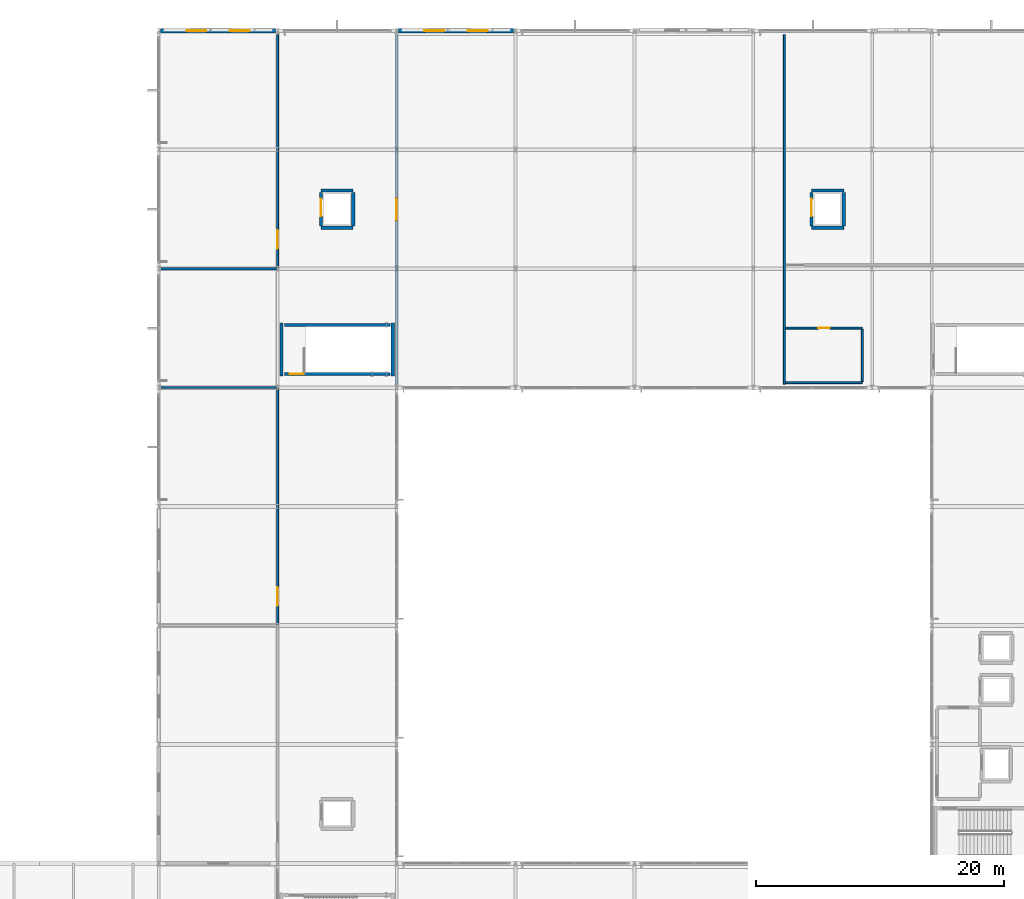
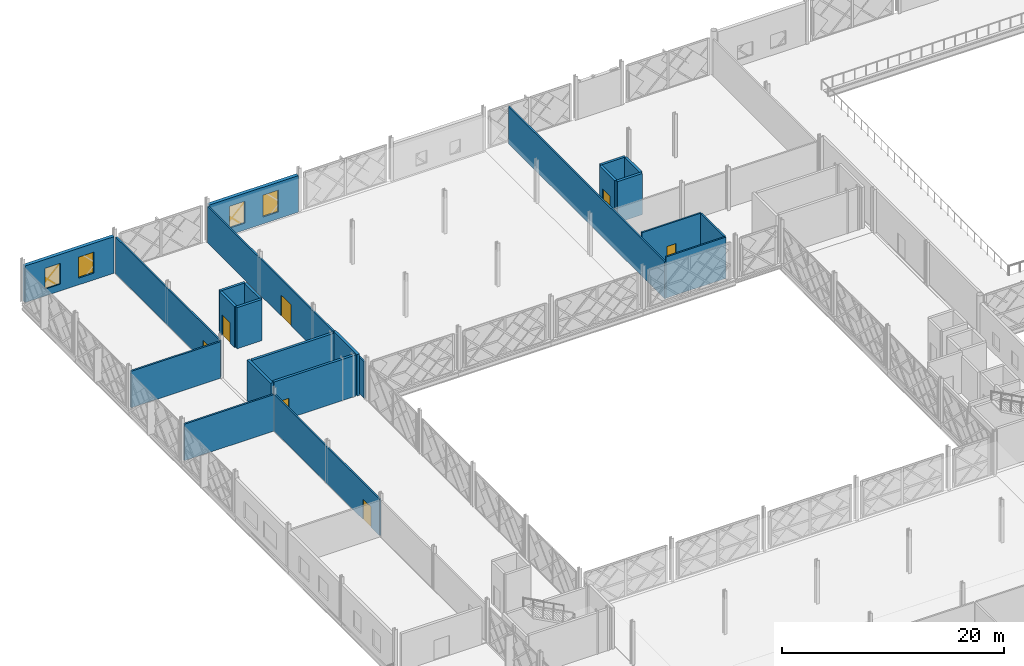
# One storey, part 50 of 77: 23 walls, 7 doors, 4 windows, 11 openings.
"""IFC4 building model written with IfcOpenShell, lengths in metres."""

from ifc_helpers import new_model, si_unit, direction, frame, frame_2d, origin, place, context, subcontext, project, spatial, rectangle, extrude, material, layer, layer_set, type_object, element, fill, save


model = new_model("IFC4")

# Units and contexts
model_context = context("Model", 3, precision=1e-05, world=origin(), true_north=direction((0.0, 1.0)))
body_context = subcontext(model_context, "Body", "Model", "MODEL_VIEW")
ifc_project = project(units=[si_unit("LENGTHUNIT", "METRE"), si_unit("AREAUNIT", "SQUARE_METRE"), si_unit("VOLUMEUNIT", "CUBIC_METRE"), si_unit("PLANEANGLEUNIT", "RADIAN"), si_unit("MASSUNIT", "GRAM", prefix="KILO")], contexts=[model_context])

# Site, building, storey
site_placement = place(None, origin())
site = spatial("IfcSite", under=ifc_project, at=site_placement, CompositionType="ELEMENT")
building_placement = place(site_placement, origin())
building = spatial("IfcBuilding", under=site, at=building_placement, Name="Zevrakil Square Congress Hotel", CompositionType="ELEMENT")
storey_placement = place(building_placement, frame((0.0, 0.0, 9.89990234375)))
storey = spatial("IfcBuildingStorey", under=building, at=storey_placement, Name="L03", CompositionType="ELEMENT", Elevation=9.89990234375)

# Wall, opening, door
ifc_material_1 = material(Name="Gypsum Acoustic Stud Partition")
ifc_layer_1 = layer(ifc_material_1, 0.159912109375)
ifc_layer_set_1 = layer_set([ifc_layer_1], Name="Gypsum Acoustic Stud Partition")
wall_type_1 = type_object("IfcWallType", Name="WAL-CORR-160", PredefinedType="PARTITIONING", material=ifc_layer_set_1)
wall_1_placement = place(storey_placement, frame((55.199951171875, 64.89990234375, 0.0), z_axis=(0.0, 0.0, 1.0), x_axis=(0.0, 1.0, 0.0)))
wall_1 = element("IfcWall", 1, at=wall_1_placement, inside=storey, type_object=wall_type_1, Name="L03 interior partition PW-L03-0226", PredefinedType="PARTITIONING", context=body_context, shape_type="SweptSolid", body=[
    extrude(rectangle(XDim=19.0, YDim=0.159912109375, at=frame_2d((9.5, 0.0))), origin(), (0.0, 0.0, 1.0), 4.025146484375),
])
opening_1_placement = place(wall_1_placement, frame((1.5, 0.0, 0.0)))
opening_1 = element("IfcOpeningElement", 2, at=opening_1_placement, cuts=wall_1, Name="Opening ID-03", PredefinedType="OPENING", context=body_context, shape_type="SweptSolid", body=[
    extrude(rectangle(XDim=1.5, YDim=2.25, at=frame_2d((0.75, 1.125))), frame((0.0, 0.08984375, 0.0), z_axis=(0.0, -1.0, 0.0), x_axis=(1.0, 0.0, 0.0)), (0.0, 0.0, 1.0), 0.179931640625),
])
ifc_material_2 = material(Name="Acoustic Double Meeting Door")
door_type_1 = type_object("IfcDoorType", Name="DOR-MTG-150", OperationType="NOTDEFINED", PredefinedType="DOOR", material=ifc_material_2)
door_1_placement = place(opening_1_placement, origin())
door_1 = element("IfcDoor", 3, at=door_1_placement, inside=storey, type_object=door_type_1, Name="L03 interior door 96", OperationType="DOUBLE_DOOR_SINGLE_SWING", OverallHeight=2.25, OverallWidth=1.5, PredefinedType="DOOR", context=body_context, shape_type="SweptSolid", body=[
    extrude(rectangle(XDim=1.5, YDim=2.25, at=frame_2d((0.75, 1.125))), frame((0.0, 0.02490234375, 0.0), z_axis=(0.0, -1.0, 0.0), x_axis=(1.0, 0.0, 0.0)), (0.0, 0.0, 1.0), 0.050048828125),
])
fill(opening_1, door_1)

wall_2_placement = place(storey_placement, frame((55.199951171875, 93.699951171875, 0.0), z_axis=(0.0, 0.0, 1.0), x_axis=(0.0, 1.0, 0.0)))
wall_2 = element("IfcWall", 4, at=wall_2_placement, inside=storey, type_object=wall_type_1, Name="L03 interior partition PW-L03-0228", PredefinedType="PARTITIONING", context=body_context, shape_type="SweptSolid", body=[
    extrude(rectangle(XDim=18.780029296875, YDim=0.159912109375, at=frame_2d((9.39013671875, 0.0))), origin(), (0.0, 0.0, 1.0), 4.025146484375),
])
opening_2_placement = place(wall_2_placement, frame((1.5, 0.0, 0.0)))
opening_2 = element("IfcOpeningElement", 5, at=opening_2_placement, cuts=wall_2, Name="Opening ID-03", PredefinedType="OPENING", context=body_context, shape_type="SweptSolid", body=[
    extrude(rectangle(XDim=1.5, YDim=2.25, at=frame_2d((0.75, 1.125))), frame((0.0, 0.08984375, 0.0), z_axis=(0.0, -1.0, 0.0), x_axis=(1.0, 0.0, 0.0)), (0.0, 0.0, 1.0), 0.179931640625),
])
door_2_placement = place(opening_2_placement, origin())
door_2 = element("IfcDoor", 6, at=door_2_placement, inside=storey, type_object=door_type_1, Name="L03 interior door 97", OperationType="DOUBLE_DOOR_SINGLE_SWING", OverallHeight=2.25, OverallWidth=1.5, PredefinedType="DOOR", context=body_context, shape_type="SweptSolid", body=[
    extrude(rectangle(XDim=1.5, YDim=2.25, at=frame_2d((0.75, 1.125))), frame((0.0, 0.02490234375, 0.0), z_axis=(0.0, -1.0, 0.0), x_axis=(1.0, 0.0, 0.0)), (0.0, 0.0, 1.0), 0.050048828125),
])
fill(opening_2, door_2)

wall_3_placement = place(storey_placement, frame((64.800048828125, 84.284912109375, 0.0), z_axis=(0.0, 0.0, 1.0), x_axis=(0.0, 1.0, 0.0)))
wall_3 = element("IfcWall", 7, at=wall_3_placement, inside=storey, type_object=wall_type_1, Name="L03 interior partition PW-L03-0230", PredefinedType="PARTITIONING", context=body_context, shape_type="SweptSolid", body=[
    extrude(rectangle(XDim=28.210205078125, YDim=0.159912109375, at=frame_2d((14.10498046875, 0.0))), origin(), (0.0, 0.0, 1.0), 4.025146484375),
])
opening_3_placement = place(wall_3_placement, frame((13.205078125, 0.0, 0.0)))
opening_3 = element("IfcOpeningElement", 8, at=opening_3_placement, cuts=wall_3, Name="Opening ID-04", PredefinedType="OPENING", context=body_context, shape_type="SweptSolid", body=[
    extrude(rectangle(XDim=1.800048828125, YDim=2.300048828125, at=frame_2d((0.89990234375, 1.14990234375))), frame((0.0, 0.08984375, 0.0), z_axis=(0.0, -1.0, 0.0), x_axis=(1.0, 0.0, 0.0)), (0.0, 0.0, 1.0), 0.179931640625),
])
ifc_material_3 = material(Name="Diplomatic Boardroom Double Door")
door_type_2 = type_object("IfcDoorType", Name="DOR-MTG-180", OperationType="NOTDEFINED", PredefinedType="DOOR", material=ifc_material_3)
door_3_placement = place(opening_3_placement, origin())
door_3 = element("IfcDoor", 9, at=door_3_placement, inside=storey, type_object=door_type_2, Name="L03 interior door 98", OperationType="DOUBLE_DOOR_SINGLE_SWING", OverallHeight=2.300048828125, OverallWidth=1.800048828125, PredefinedType="DOOR", context=body_context, shape_type="SweptSolid", body=[
    extrude(rectangle(XDim=1.800048828125, YDim=2.300048828125, at=frame_2d((0.89990234375, 1.14990234375))), frame((0.0, 0.02490234375, 0.0), z_axis=(0.0, -1.0, 0.0), x_axis=(1.0, 0.0, 0.0)), (0.0, 0.0, 1.0), 0.050048828125),
])
fill(opening_3, door_3)

# Walls
wall_4_placement = place(storey_placement, frame((96.10009765625, 84.284912109375, 0.0), z_axis=(0.0, 0.0, 1.0), x_axis=(0.0, 1.0, 0.0)))
element("IfcWall", 10, at=wall_4_placement, inside=storey, type_object=wall_type_1, Name="L03 interior partition PW-L03-0231", PredefinedType="PARTITIONING", context=body_context, shape_type="SweptSolid", body=[
    extrude(rectangle(XDim=28.210205078125, YDim=0.159912109375, at=frame_2d((14.10498046875, 0.0))), origin(), (0.0, 0.0, 1.0), 4.085205078125),
])
wall_5_placement = place(storey_placement, frame((96.199951171875, 84.39990234375, 0.0), z_axis=(0.0, 0.0, 1.0), x_axis=(1.0, 0.0, 0.0)))
element("IfcWall", 11, at=wall_5_placement, inside=storey, type_object=wall_type_1, Name="L03 interior partition PW-L03-0234", PredefinedType="PARTITIONING", context=body_context, shape_type="SweptSolid", body=[
    extrude(rectangle(XDim=6.199951171875, YDim=0.159912109375, at=frame_2d((3.10009765625, 0.0))), origin(), (0.0, 0.0, 1.0), 4.5400390625),
])

# Wall, opening, door
wall_6_placement = place(storey_placement, frame((96.199951171875, 88.800048828125, 0.0), z_axis=(0.0, 0.0, 1.0), x_axis=(1.0, 0.0, 0.0)))
wall_6 = element("IfcWall", 12, at=wall_6_placement, inside=storey, type_object=wall_type_1, Name="L03 interior partition PW-L03-0235", PredefinedType="PARTITIONING", context=body_context, shape_type="SweptSolid", body=[
    extrude(rectangle(XDim=6.199951171875, YDim=0.159912109375, at=frame_2d((3.10009765625, 0.0))), origin(), (0.0, 0.0, 1.0), 4.5400390625),
])
opening_4_placement = place(wall_6_placement, frame((2.639892578125, 0.0, 0.0)))
opening_4 = element("IfcOpeningElement", 13, at=opening_4_placement, cuts=wall_6, Name="Opening ID-07", PredefinedType="OPENING", context=body_context, shape_type="SweptSolid", body=[
    extrude(rectangle(XDim=0.919921875, YDim=2.10009765625, at=frame_2d((0.4599609375, 1.050048828125))), frame((0.0, 0.08984375, 0.0), z_axis=(0.0, -1.0, 0.0), x_axis=(1.0, 0.0, 0.0)), (0.0, 0.0, 1.0), 0.179931640625),
])
ifc_material_4 = material(Name="Accessible Restroom Door")
door_type_3 = type_object("IfcDoorType", Name="DOR-WC-092", OperationType="NOTDEFINED", PredefinedType="DOOR", material=ifc_material_4)
door_4_placement = place(opening_4_placement, origin())
door_4 = element("IfcDoor", 14, at=door_4_placement, inside=storey, type_object=door_type_3, Name="L03 interior door 100", OperationType="SINGLE_SWING_RIGHT", OverallHeight=2.10009765625, OverallWidth=0.919921875, PredefinedType="DOOR", context=body_context, shape_type="SweptSolid", body=[
    extrude(rectangle(XDim=0.919921875, YDim=2.10009765625, at=frame_2d((0.4599609375, 1.050048828125))), frame((0.0, 0.02490234375, 0.0), z_axis=(0.0, -1.0, 0.0), x_axis=(1.0, 0.0, 0.0)), (0.0, 0.0, 1.0), 0.050048828125),
])
fill(opening_4, door_4)

# Wall
wall_7_placement = place(storey_placement, frame((102.39990234375, 84.485107421875, 0.0), z_axis=(0.0, 0.0, 1.0), x_axis=(0.0, 1.0, 0.0)))
element("IfcWall", 15, at=wall_7_placement, inside=storey, type_object=wall_type_1, Name="L03 interior partition PW-L03-0236", PredefinedType="PARTITIONING", context=body_context, shape_type="SweptSolid", body=[
    extrude(rectangle(XDim=4.22998046875, YDim=0.159912109375, at=frame_2d((2.114990234375, 0.0))), origin(), (0.0, 0.0, 1.0), 4.5400390625),
])

# Wall, openings, windows
ifc_material_5 = material(Name="Precast concrete C40/50", Category="concrete")
ifc_layer_2 = layer(ifc_material_5, 0.360107421875)
ifc_layer_set_2 = layer_set([ifc_layer_2], Name="Precast concrete C40/50")
wall_type_2 = type_object("IfcWallType", Name="WAL-EXT-GRC-360", PredefinedType="SOLIDWALL", material=ifc_layer_set_2)
wall_8_placement = place(storey_placement, frame((45.75390625, 112.800048828125, 0.0), z_axis=(0.0, 0.0, 1.0), x_axis=(1.0, 0.0, 0.0)))
wall_8 = element("IfcWall", 16, at=wall_8_placement, inside=storey, type_object=wall_type_2, Name="L03 exterior GRC wall EW-L03-0046", PredefinedType="SOLIDWALL", context=body_context, shape_type="SweptSolid", body=[
    extrude(rectangle(XDim=9.2919921875, YDim=0.360107421875, at=frame_2d((4.64599609375, 0.0))), origin(), (0.0, 0.0, 1.0), 4.025146484375),
])
opening_5_placement = place(wall_8_placement, frame((2.097900390625, 0.0, 0.75)))
opening_5 = element("IfcOpeningElement", 17, at=opening_5_placement, cuts=wall_8, Name="Opening WN-37", PredefinedType="OPENING", context=body_context, shape_type="SweptSolid", body=[
    extrude(rectangle(XDim=1.60009765625, YDim=2.300048828125, at=frame_2d((0.800048828125, 1.14990234375))), frame((0.0, 0.18994140625, 0.0), z_axis=(0.0, -1.0, 0.0), x_axis=(1.0, 0.0, 0.0)), (0.0, 0.0, 1.0), 0.380126953125),
])
opening_6_placement = place(wall_8_placement, frame((5.593994140625, 0.0, 0.75)))
opening_6 = element("IfcOpeningElement", 18, at=opening_6_placement, cuts=wall_8, Name="Opening WN-37", PredefinedType="OPENING", context=body_context, shape_type="SweptSolid", body=[
    extrude(rectangle(XDim=1.60009765625, YDim=2.300048828125, at=frame_2d((0.800048828125, 1.14990234375))), frame((0.0, 0.18994140625, 0.0), z_axis=(0.0, -1.0, 0.0), x_axis=(1.0, 0.0, 0.0)), (0.0, 0.0, 1.0), 0.380126953125),
])
ifc_material_6 = material(Name="Low-E Solar Control Double Glazing", Category="glass")
window_type_1 = type_object("IfcWindowType", Name="WIN-EXT-37", PartitioningType="SINGLE_PANEL", PredefinedType="WINDOW", material=ifc_material_6)
window_1_placement = place(opening_5_placement, origin())
window_1 = element("IfcWindow", 19, at=window_1_placement, inside=storey, type_object=window_type_1, Name="L03 low-E solar window 37", OverallHeight=2.300048828125, OverallWidth=1.60009765625, PartitioningType="SINGLE_PANEL", PredefinedType="WINDOW", context=body_context, shape_type="SweptSolid", body=[
    extrude(rectangle(XDim=1.60009765625, YDim=2.300048828125, at=frame_2d((0.800048828125, 1.14990234375))), frame((0.0, 0.030029296875, 0.0), z_axis=(0.0, -1.0, 0.0), x_axis=(1.0, 0.0, 0.0)), (0.0, 0.0, 1.0), 0.06005859375),
])
fill(opening_5, window_1)
window_2_placement = place(opening_6_placement, origin())
window_2 = element("IfcWindow", 20, at=window_2_placement, inside=storey, type_object=window_type_1, Name="L03 low-E solar window 38", OverallHeight=2.300048828125, OverallWidth=1.60009765625, PartitioningType="SINGLE_PANEL", PredefinedType="WINDOW", context=body_context, shape_type="SweptSolid", body=[
    extrude(rectangle(XDim=1.60009765625, YDim=2.300048828125, at=frame_2d((0.800048828125, 1.14990234375))), frame((0.0, 0.030029296875, 0.0), z_axis=(0.0, -1.0, 0.0), x_axis=(1.0, 0.0, 0.0)), (0.0, 0.0, 1.0), 0.06005859375),
])
fill(opening_6, window_2)

wall_9_placement = place(storey_placement, frame((64.9541015625, 112.800048828125, 0.0), z_axis=(0.0, 0.0, 1.0), x_axis=(1.0, 0.0, 0.0)))
wall_9 = element("IfcWall", 21, at=wall_9_placement, inside=storey, type_object=wall_type_2, Name="L03 exterior GRC wall EW-L03-0050", PredefinedType="SOLIDWALL", context=body_context, shape_type="SweptSolid", body=[
    extrude(rectangle(XDim=9.2919921875, YDim=0.360107421875, at=frame_2d((4.64599609375, 0.0))), origin(), (0.0, 0.0, 1.0), 4.025146484375),
])
opening_7_placement = place(wall_9_placement, frame((2.097900390625, 0.0, 0.75)))
opening_7 = element("IfcOpeningElement", 22, at=opening_7_placement, cuts=wall_9, Name="Opening WN-41", PredefinedType="OPENING", context=body_context, shape_type="SweptSolid", body=[
    extrude(rectangle(XDim=1.60009765625, YDim=2.39990234375, at=frame_2d((0.800048828125, 1.199951171875))), frame((0.0, 0.18994140625, 0.0), z_axis=(0.0, -1.0, 0.0), x_axis=(1.0, 0.0, 0.0)), (0.0, 0.0, 1.0), 0.380126953125),
])
opening_8_placement = place(wall_9_placement, frame((5.593994140625, 0.0, 0.75)))
opening_8 = element("IfcOpeningElement", 23, at=opening_8_placement, cuts=wall_9, Name="Opening WN-41", PredefinedType="OPENING", context=body_context, shape_type="SweptSolid", body=[
    extrude(rectangle(XDim=1.60009765625, YDim=2.39990234375, at=frame_2d((0.800048828125, 1.199951171875))), frame((0.0, 0.18994140625, 0.0), z_axis=(0.0, -1.0, 0.0), x_axis=(1.0, 0.0, 0.0)), (0.0, 0.0, 1.0), 0.380126953125),
])
ifc_material_7 = material(Name="Low-E Solar Control Double Glazing", Category="glass")
window_type_2 = type_object("IfcWindowType", Name="WIN-EXT-41", PartitioningType="SINGLE_PANEL", PredefinedType="WINDOW", material=ifc_material_7)
window_3_placement = place(opening_7_placement, origin())
window_3 = element("IfcWindow", 24, at=window_3_placement, inside=storey, type_object=window_type_2, Name="L03 low-E solar window 41", OverallHeight=2.39990234375, OverallWidth=1.60009765625, PartitioningType="SINGLE_PANEL", PredefinedType="WINDOW", context=body_context, shape_type="SweptSolid", body=[
    extrude(rectangle(XDim=1.60009765625, YDim=2.39990234375, at=frame_2d((0.800048828125, 1.199951171875))), frame((0.0, 0.030029296875, 0.0), z_axis=(0.0, -1.0, 0.0), x_axis=(1.0, 0.0, 0.0)), (0.0, 0.0, 1.0), 0.06005859375),
])
fill(opening_7, window_3)
window_4_placement = place(opening_8_placement, origin())
window_4 = element("IfcWindow", 25, at=window_4_placement, inside=storey, type_object=window_type_2, Name="L03 low-E solar window 42", OverallHeight=2.39990234375, OverallWidth=1.60009765625, PartitioningType="SINGLE_PANEL", PredefinedType="WINDOW", context=body_context, shape_type="SweptSolid", body=[
    extrude(rectangle(XDim=1.60009765625, YDim=2.39990234375, at=frame_2d((0.800048828125, 1.199951171875))), frame((0.0, 0.030029296875, 0.0), z_axis=(0.0, -1.0, 0.0), x_axis=(1.0, 0.0, 0.0)), (0.0, 0.0, 1.0), 0.06005859375),
])
fill(opening_8, window_4)

# Walls
ifc_material_8 = material(Name="Gypsum Twin-Stud Party Partition")
ifc_layer_3 = layer(ifc_material_8, 0.179931640625)
ifc_layer_set_3 = layer_set([ifc_layer_3], Name="Gypsum Twin-Stud Party Partition")
wall_type_3 = type_object("IfcWallType", Name="WAL-PARTY-180", PredefinedType="PARTITIONING", material=ifc_layer_set_3)
for number, where, z_axis, x_axis, name in (
    (26, (45.780029296875, 84.0, 0.0), (0.0, 0.0, 1.0), (1.0, 0.0, 0.0), "L03 interior partition PW-L03-0227"),
    (27, (45.780029296875, 93.60009765625, 0.0), (0.0, 0.0, 1.0), (1.0, 0.0, 0.0), "L03 interior partition PW-L03-0229"),
):
    element("IfcWall", number, at=place(storey_placement, frame(where, z_axis=z_axis, x_axis=x_axis)), inside=storey, type_object=wall_type_3, Name=name, PredefinedType="PARTITIONING", context=body_context, shape_type="SweptSolid", body=[
        extrude(rectangle(XDim=9.330078125, YDim=0.179931640625, at=frame_2d((4.6650390625, 0.0))), origin(), (0.0, 0.0, 1.0), 4.025146484375),
    ])
ifc_material_9 = material(Name="Concrete C40/50", Category="concrete")
ifc_layer_4 = layer(ifc_material_9, 0.260009765625)
ifc_layer_set_4 = layer_set([ifc_layer_4], Name="Concrete C40/50")
wall_type_4 = type_object("IfcWallType", Name="WAL-SHAFT-260", PredefinedType="SHEAR", material=ifc_layer_set_4)
for number, where, z_axis, x_axis, name in (
    (28, (55.5048828125, 84.93994140625, 0.0), (0.0, 0.0, 1.0), (0.0, 1.0, 0.0), "L03 ST05 stair shaft W wall"),
    (29, (64.4951171875, 84.93994140625, 0.0), (0.0, 0.0, 1.0), (0.0, 1.0, 0.0), "L03 ST05 stair shaft E wall"),
):
    element("IfcWall", number, at=place(storey_placement, frame(where, z_axis=z_axis, x_axis=x_axis)), inside=storey, type_object=wall_type_4, Name=name, PredefinedType="SHEAR", context=body_context, shape_type="SweptSolid", body=[
        extrude(rectangle(XDim=4.27001953125, YDim=0.260009765625, at=frame_2d((2.135009765625, 0.0))), origin(), (0.0, 0.0, 1.0), 4.5400390625),
    ])

# Wall, opening, door
wall_10_placement = place(storey_placement, frame((55.739990234375, 85.10498046875, 0.0), z_axis=(0.0, 0.0, 1.0), x_axis=(1.0, 0.0, 0.0)))
wall_10 = element("IfcWall", 30, at=wall_10_placement, inside=storey, type_object=wall_type_4, Name="L03 ST05 stair shaft S wall", PredefinedType="SHEAR", context=body_context, shape_type="SweptSolid", body=[
    extrude(rectangle(XDim=8.52001953125, YDim=0.260009765625, at=frame_2d((4.260009765625, 0.0))), origin(), (0.0, 0.0, 1.0), 4.5400390625),
])
opening_9_placement = place(wall_10_placement, frame((0.449951171875, 0.0, 0.0)))
opening_9 = element("IfcOpeningElement", 31, at=opening_9_placement, cuts=wall_10, Name="Opening SD-ST05", PredefinedType="OPENING", context=body_context, shape_type="SweptSolid", body=[
    extrude(rectangle(XDim=1.10009765625, YDim=2.199951171875, at=frame_2d((0.550048828125, 1.10009765625))), frame((0.0, 0.14013671875, 0.0), z_axis=(0.0, -1.0, 0.0), x_axis=(1.0, 0.0, 0.0)), (0.0, 0.0, 1.0), 0.280029296875),
])
ifc_material_10 = material(Name="Steel S355 Fire-Rated Door", Category="steel")
door_type_4 = type_object("IfcDoorType", Name="DOR-STAIR-FD90-110", OperationType="NOTDEFINED", PredefinedType="DOOR", material=ifc_material_10)
door_5_placement = place(opening_9_placement, origin())
door_5 = element("IfcDoor", 32, at=door_5_placement, inside=storey, type_object=door_type_4, Name="L03 ST05 protected stair fire door", OperationType="SINGLE_SWING_RIGHT", OverallHeight=2.199951171875, OverallWidth=1.10009765625, PredefinedType="DOOR", context=body_context, shape_type="SweptSolid", body=[
    extrude(rectangle(XDim=1.10009765625, YDim=2.199951171875, at=frame_2d((0.550048828125, 1.10009765625))), frame((0.0, 0.02490234375, 0.0), z_axis=(0.0, -1.0, 0.0), x_axis=(1.0, 0.0, 0.0)), (0.0, 0.0, 1.0), 0.050048828125),
])
fill(opening_9, door_5)

# Walls
wall_11_placement = place(storey_placement, frame((55.739990234375, 89.044921875, 0.0), z_axis=(0.0, 0.0, 1.0), x_axis=(1.0, 0.0, 0.0)))
element("IfcWall", 33, at=wall_11_placement, inside=storey, type_object=wall_type_4, Name="L03 ST05 stair shaft N wall", PredefinedType="SHEAR", context=body_context, shape_type="SweptSolid", body=[
    extrude(rectangle(XDim=8.52001953125, YDim=0.260009765625, at=frame_2d((4.260009765625, 0.0))), origin(), (0.0, 0.0, 1.0), 4.5400390625),
])
for number, where, z_axis, x_axis, name in (
    (34, (58.699951171875, 96.89990234375, 0.0), (0.0, 0.0, 1.0), (1.0, 0.0, 0.0), "L03 SL2 lift shaft wall"),
    (35, (58.699951171875, 99.89990234375, 0.0), (0.0, 0.0, 1.0), (1.0, 0.0, 0.0), "L03 SL2 lift shaft wall"),
):
    element("IfcWall", number, at=place(storey_placement, frame(where, z_axis=z_axis, x_axis=x_axis)), inside=storey, type_object=wall_type_4, Name=name, PredefinedType="SHEAR", context=body_context, shape_type="SweptSolid", body=[
        extrude(rectangle(XDim=2.60009765625, YDim=0.260009765625, at=frame_2d((1.300048828125, 0.0))), origin(), (0.0, 0.0, 1.0), 4.5400390625),
    ])

# Wall, opening, door
wall_12_placement = place(storey_placement, frame((58.699951171875, 97.0400390625, 0.0), z_axis=(0.0, 0.0, 1.0), x_axis=(0.0, 1.0, 0.0)))
wall_12 = element("IfcWall", 36, at=wall_12_placement, inside=storey, type_object=wall_type_4, Name="L03 SL2 lift shaft wall", PredefinedType="SHEAR", context=body_context, shape_type="SweptSolid", body=[
    extrude(rectangle(XDim=2.719970703125, YDim=0.260009765625, at=frame_2d((1.35986328125, 0.0))), origin(), (0.0, 0.0, 1.0), 4.5400390625),
])
opening_10_placement = place(wall_12_placement, frame((0.800048828125, 0.0, 0.0)))
opening_10 = element("IfcOpeningElement", 37, at=opening_10_placement, cuts=wall_12, Name="Opening LD-SL2", PredefinedType="OPENING", context=body_context, shape_type="SweptSolid", body=[
    extrude(rectangle(XDim=1.39990234375, YDim=2.300048828125, at=frame_2d((0.699951171875, 1.14990234375))), frame((0.0, 0.14013671875, 0.0), z_axis=(0.0, -1.0, 0.0), x_axis=(1.0, 0.0, 0.0)), (0.0, 0.0, 1.0), 0.280029296875),
])
ifc_material_11 = material(Name="Goods Service Sliding Landing Door")
door_type_5 = type_object("IfcDoorType", Name="DOR-LIFT-LD140", OperationType="NOTDEFINED", PredefinedType="DOOR", material=ifc_material_11)
door_6_placement = place(opening_10_placement, origin())
door_6 = element("IfcDoor", 38, at=door_6_placement, inside=storey, type_object=door_type_5, Name="L03 SL2 sliding lift landing door", OperationType="SLIDING_TO_RIGHT", OverallHeight=2.300048828125, OverallWidth=1.39990234375, PredefinedType="DOOR", context=body_context, shape_type="SweptSolid", body=[
    extrude(rectangle(XDim=1.39990234375, YDim=2.300048828125, at=frame_2d((0.699951171875, 1.14990234375))), frame((0.0, 0.02490234375, 0.0), z_axis=(0.0, -1.0, 0.0), x_axis=(1.0, 0.0, 0.0)), (0.0, 0.0, 1.0), 0.050048828125),
])
fill(opening_10, door_6)

# Walls
wall_13_placement = place(storey_placement, frame((61.300048828125, 97.0400390625, 0.0), z_axis=(0.0, 0.0, 1.0), x_axis=(0.0, 1.0, 0.0)))
element("IfcWall", 39, at=wall_13_placement, inside=storey, type_object=wall_type_4, Name="L03 SL2 lift shaft wall", PredefinedType="SHEAR", context=body_context, shape_type="SweptSolid", body=[
    extrude(rectangle(XDim=2.719970703125, YDim=0.260009765625, at=frame_2d((1.35986328125, 0.0))), origin(), (0.0, 0.0, 1.0), 4.5400390625),
])
for number, where, z_axis, x_axis, name in (
    (40, (98.300048828125, 96.89990234375, 0.0), (0.0, 0.0, 1.0), (1.0, 0.0, 0.0), "L03 SL3 lift shaft wall"),
    (41, (98.300048828125, 99.89990234375, 0.0), (0.0, 0.0, 1.0), (1.0, 0.0, 0.0), "L03 SL3 lift shaft wall"),
):
    element("IfcWall", number, at=place(storey_placement, frame(where, z_axis=z_axis, x_axis=x_axis)), inside=storey, type_object=wall_type_4, Name=name, PredefinedType="SHEAR", context=body_context, shape_type="SweptSolid", body=[
        extrude(rectangle(XDim=2.599853515625, YDim=0.260009765625, at=frame_2d((1.2998046875, 0.0))), origin(), (0.0, 0.0, 1.0), 4.5400390625),
    ])

# Wall, opening, door
wall_14_placement = place(storey_placement, frame((98.300048828125, 97.0400390625, 0.0), z_axis=(0.0, 0.0, 1.0), x_axis=(0.0, 1.0, 0.0)))
wall_14 = element("IfcWall", 42, at=wall_14_placement, inside=storey, type_object=wall_type_4, Name="L03 SL3 lift shaft wall", PredefinedType="SHEAR", context=body_context, shape_type="SweptSolid", body=[
    extrude(rectangle(XDim=2.719970703125, YDim=0.260009765625, at=frame_2d((1.35986328125, 0.0))), origin(), (0.0, 0.0, 1.0), 4.5400390625),
])
opening_11_placement = place(wall_14_placement, frame((0.800048828125, 0.0, 0.0)))
opening_11 = element("IfcOpeningElement", 43, at=opening_11_placement, cuts=wall_14, Name="Opening LD-SL3", PredefinedType="OPENING", context=body_context, shape_type="SweptSolid", body=[
    extrude(rectangle(XDim=1.39990234375, YDim=2.300048828125, at=frame_2d((0.699951171875, 1.14990234375))), frame((0.0, 0.14013671875, 0.0), z_axis=(0.0, -1.0, 0.0), x_axis=(1.0, 0.0, 0.0)), (0.0, 0.0, 1.0), 0.280029296875),
])
door_7_placement = place(opening_11_placement, origin())
door_7 = element("IfcDoor", 44, at=door_7_placement, inside=storey, type_object=door_type_5, Name="L03 SL3 sliding lift landing door", OperationType="SLIDING_TO_LEFT", OverallHeight=2.300048828125, OverallWidth=1.39990234375, PredefinedType="DOOR", context=body_context, shape_type="SweptSolid", body=[
    extrude(rectangle(XDim=1.39990234375, YDim=2.300048828125, at=frame_2d((0.699951171875, 1.14990234375))), frame((0.0, 0.02490234375, 0.0), z_axis=(0.0, -1.0, 0.0), x_axis=(1.0, 0.0, 0.0)), (0.0, 0.0, 1.0), 0.050048828125),
])
fill(opening_11, door_7)

# Wall
wall_15_placement = place(storey_placement, frame((100.89990234375, 97.0400390625, 0.0), z_axis=(0.0, 0.0, 1.0), x_axis=(0.0, 1.0, 0.0)))
element("IfcWall", 45, at=wall_15_placement, inside=storey, type_object=wall_type_4, Name="L03 SL3 lift shaft wall", PredefinedType="SHEAR", context=body_context, shape_type="SweptSolid", body=[
    extrude(rectangle(XDim=2.719970703125, YDim=0.260009765625, at=frame_2d((1.35986328125, 0.0))), origin(), (0.0, 0.0, 1.0), 4.5400390625),
])

save(model, "model.ifc")
